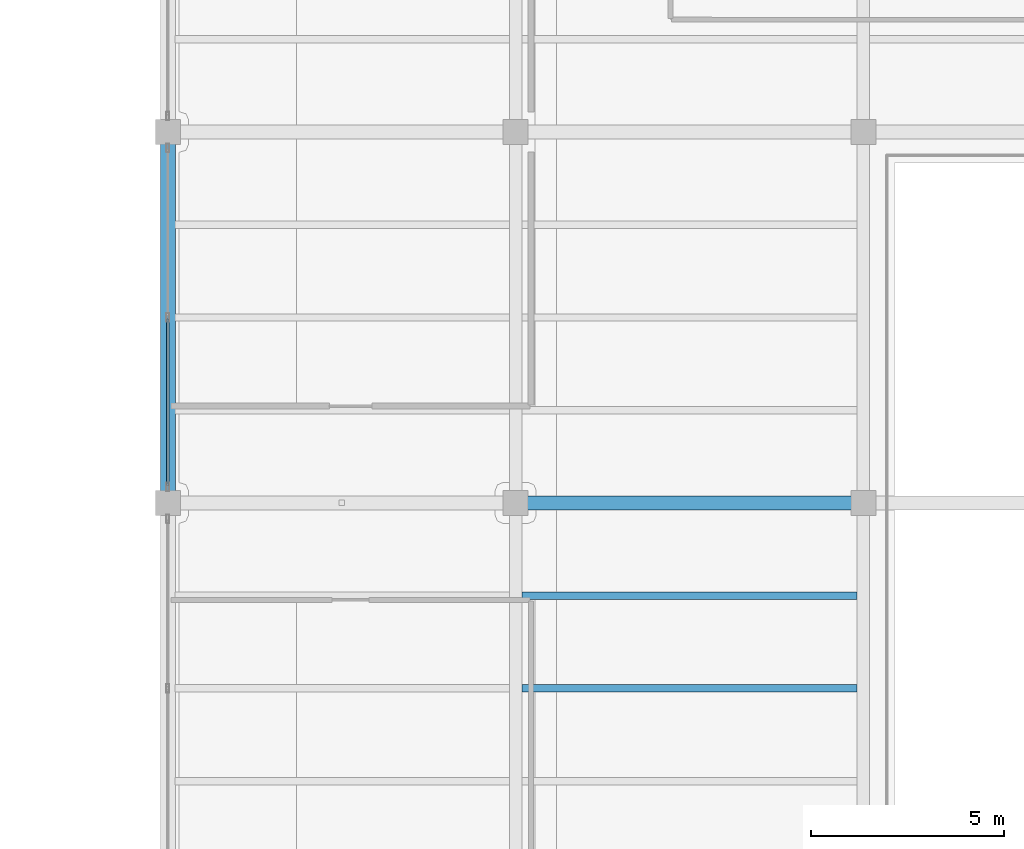
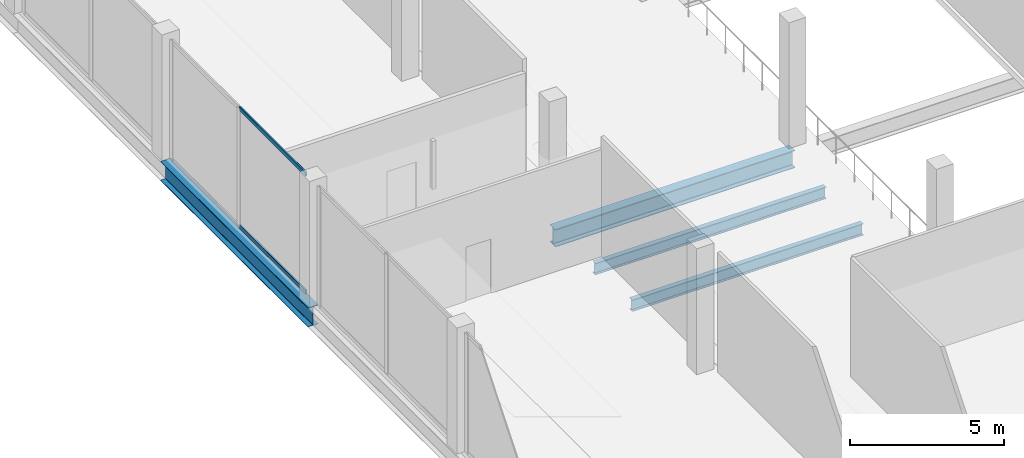
# One storey, part 8 of 46: 4 beams, 2 members, 1 element without a shape of its own.
"""IFC4 building model written with IfcOpenShell, lengths in metres."""

from ifc_helpers import new_model, si_unit, direction, frame, origin, origin_2d, place, context, subcontext, project, spatial, hollow_rectangle, i_section, extrude, material, layer, layer_set, material_profile, profile_set, type_object, element, aggregate, save


model = new_model("IFC4")

# Units and contexts
model_context = context("Model", 3, precision=1e-05, world=origin(), true_north=direction((0.0, 1.0)))
body_context = subcontext(model_context, "Body", "Model", "MODEL_VIEW")
ifc_project = project(units=[si_unit("LENGTHUNIT", "METRE"), si_unit("AREAUNIT", "SQUARE_METRE"), si_unit("VOLUMEUNIT", "CUBIC_METRE"), si_unit("PLANEANGLEUNIT", "RADIAN"), si_unit("MASSUNIT", "GRAM", prefix="KILO")], contexts=[model_context])

# Site, building, storey
site_placement = place(None, origin())
site = spatial("IfcSite", under=ifc_project, at=site_placement, CompositionType="ELEMENT")
building_placement = place(site_placement, origin())
building = spatial("IfcBuilding", under=site, at=building_placement, Name="Qorvath Tower", CompositionType="ELEMENT")
storey_placement = place(building_placement, frame((0.0, 0.0, 17.0)))
storey = spatial("IfcBuildingStorey", under=building, at=storey_placement, Name="L03", CompositionType="ELEMENT", Elevation=17.0)

# Beams
ifc_material_1 = material(Name="Steel ASTM A992 Grade 50", Category="steel")
ifc_material_profile_1 = material_profile(ifc_material_1, i_section(OverallWidth=0.381103515625, OverallDepth=0.77294921875, WebThickness=0.0166015625, FlangeThickness=0.027099609375, FilletRadius=0.01904296875, at=origin_2d()), Name="W30x173")
ifc_profile_set_1 = profile_set([ifc_material_profile_1], Name="Steel ASTM A992 Grade 50")
beam_type_1 = type_object("IfcBeamType", Name="BM-FG3", PredefinedType="BEAM", material=ifc_profile_set_1)
beam_1_placement = place(storey_placement, frame((32.39990234375, 0.0, -0.646484375), z_axis=(0.0, 1.0, 0.0), x_axis=(-1.0, 0.0, 0.0)))
element("IfcBeam", 1, at=beam_1_placement, inside=storey, type_object=beam_type_1, Name="Library N-S Girder L03-1-5", PredefinedType="BEAM", context=body_context, shape_type="SweptSolid", body=[
    extrude(i_section(OverallWidth=0.381103515625, OverallDepth=0.77294921875, WebThickness=0.0166015625, FlangeThickness=0.027099609375, FilletRadius=0.01904296875, at=origin_2d()), origin(), (0.0, 0.0, 1.0), 9.60009765625),
])
ifc_material_2 = material(Name="Steel ASTM A992 Grade 50", Category="steel")
ifc_material_profile_2 = material_profile(ifc_material_2, i_section(OverallWidth=0.35595703125, OverallDepth=0.696044921875, WebThickness=0.015380859375, FlangeThickness=0.02490234375, FilletRadius=0.01806640625, at=origin_2d()), Name="W27x146")
ifc_profile_set_2 = profile_set([ifc_material_profile_2], Name="Steel ASTM A992 Grade 50")
beam_type_2 = type_object("IfcBeamType", Name="BM-FG4", PredefinedType="BEAM", material=ifc_profile_set_2)
beam_2_placement = place(storey_placement, frame((41.39990234375, 0.0, -0.60791015625), z_axis=(1.0, 0.0, 0.0), x_axis=(0.0, 1.0, 0.0)))
element("IfcBeam", 2, at=beam_2_placement, inside=storey, type_object=beam_type_2, Name="Library E-W Girder L03-5-2", PredefinedType="BEAM", context=body_context, shape_type="SweptSolid", body=[
    extrude(i_section(OverallWidth=0.35595703125, OverallDepth=0.696044921875, WebThickness=0.015380859375, FlangeThickness=0.02490234375, FilletRadius=0.01806640625, at=origin_2d()), origin(), (0.0, 0.0, 1.0), 9.0),
])
ifc_material_3 = material(Name="Steel ASTM A992 Grade 50", Category="steel")
ifc_material_profile_3 = material_profile(ifc_material_3, i_section(OverallWidth=0.18994140625, OverallDepth=0.45703125, WebThickness=0.009033203125, FlangeThickness=0.014404296875, FilletRadius=0.011962890625, at=origin_2d()), Name="W18x50")
ifc_profile_set_3 = profile_set([ifc_material_profile_3], Name="Steel ASTM A992 Grade 50")
beam_type_3 = type_object("IfcBeamType", Name="BM-FJ2", PredefinedType="JOIST", material=ifc_profile_set_3)
for number, where, z_axis, x_axis, name in (
    (3, (41.560546875, -4.800048828125, -0.488525390625), (1.0, 0.0, 0.0), (0.0, 1.0, 0.0), "Library Stack Joist L03-4.2-2"),
    (4, (41.560546875, -2.39990234375, -0.488525390625), (1.0, 0.0, 0.0), (0.0, 1.0, 0.0), "Library Stack Joist L03-4.3-2"),
):
    element("IfcBeam", number, at=place(storey_placement, frame(where, z_axis=z_axis, x_axis=x_axis)), inside=storey, type_object=beam_type_3, Name=name, PredefinedType="JOIST", context=body_context, shape_type="SweptSolid", body=[
        extrude(i_section(OverallWidth=0.18994140625, OverallDepth=0.45703125, WebThickness=0.009033203125, FlangeThickness=0.014404296875, FilletRadius=0.011962890625, at=origin_2d()), origin(), (0.0, 0.0, 1.0), 8.678955078125),
    ])

# Curtain wall, members
ifc_material_4 = material(Name="Anodised aluminium and triple low-E glass", Category="aluminium")
ifc_layer = layer(ifc_material_4, 0.179931640625)
ifc_layer_set = layer_set([ifc_layer], Name="CW-SYS-6")
curtain_wall_type = type_object("IfcCurtainWallType", Name="CW-SYS-6", PredefinedType="NOTDEFINED", material=ifc_layer_set)
curtain_wall_placement = place(storey_placement, origin())
curtain_wall = element("IfcCurtainWall", 5, at=curtain_wall_placement, inside=storey, type_object=curtain_wall_type, Name="Curtain Wall CW-6 CW-LIB-W-L03-5", PredefinedType="NOTDEFINED")
ifc_material_5 = material(Name="Anodised aluminium 6063-T6", Category="aluminium")
ifc_material_profile_4 = material_profile(ifc_material_5, hollow_rectangle(XDim=0.06494140625, YDim=0.159912109375, WallThickness=0.00341796875, InnerFilletRadius=0.00341796875, OuterFilletRadius=0.007080078125, at=origin_2d()), Name="CWT 160x65")
ifc_profile_set_4 = profile_set([ifc_material_profile_4], Name="Anodised aluminium 6063-T6")
member_type = type_object("IfcMemberType", Name="CWT-160", PredefinedType="USERDEFINED", material=ifc_profile_set_4)
member_1_placement = place(storey_placement, frame((32.39990234375, 0.4501953125, 0.032470703125), z_axis=(0.0, 1.0, 0.0), x_axis=(-1.0, 0.0, 0.0)))
member_1 = element("IfcMember", 6, at=member_1_placement, type_object=member_type, Name="CW-6 transom 1.1", ObjectType="TRANSOM", PredefinedType="USERDEFINED", context=body_context, shape_type="SweptSolid", body=[
    extrude(hollow_rectangle(XDim=0.06494140625, YDim=0.159912109375, WallThickness=0.00341796875, InnerFilletRadius=0.00341796875, OuterFilletRadius=0.007080078125, at=origin_2d()), origin(), (0.0, 0.0, 1.0), 4.309814453125),
])
member_2_placement = place(storey_placement, frame((32.39990234375, 0.4501953125, 4.70751953125), z_axis=(0.0, 1.0, 0.0), x_axis=(-1.0, 0.0, 0.0)))
member_2 = element("IfcMember", 7, at=member_2_placement, type_object=member_type, Name="CW-6 transom 1.2", ObjectType="TRANSOM", PredefinedType="USERDEFINED", context=body_context, shape_type="SweptSolid", body=[
    extrude(hollow_rectangle(XDim=0.06494140625, YDim=0.159912109375, WallThickness=0.00341796875, InnerFilletRadius=0.00341796875, OuterFilletRadius=0.007080078125, at=origin_2d()), origin(), (0.0, 0.0, 1.0), 4.309814453125),
])
aggregate(curtain_wall, [member_1, member_2])

save(model, "model.ifc")
